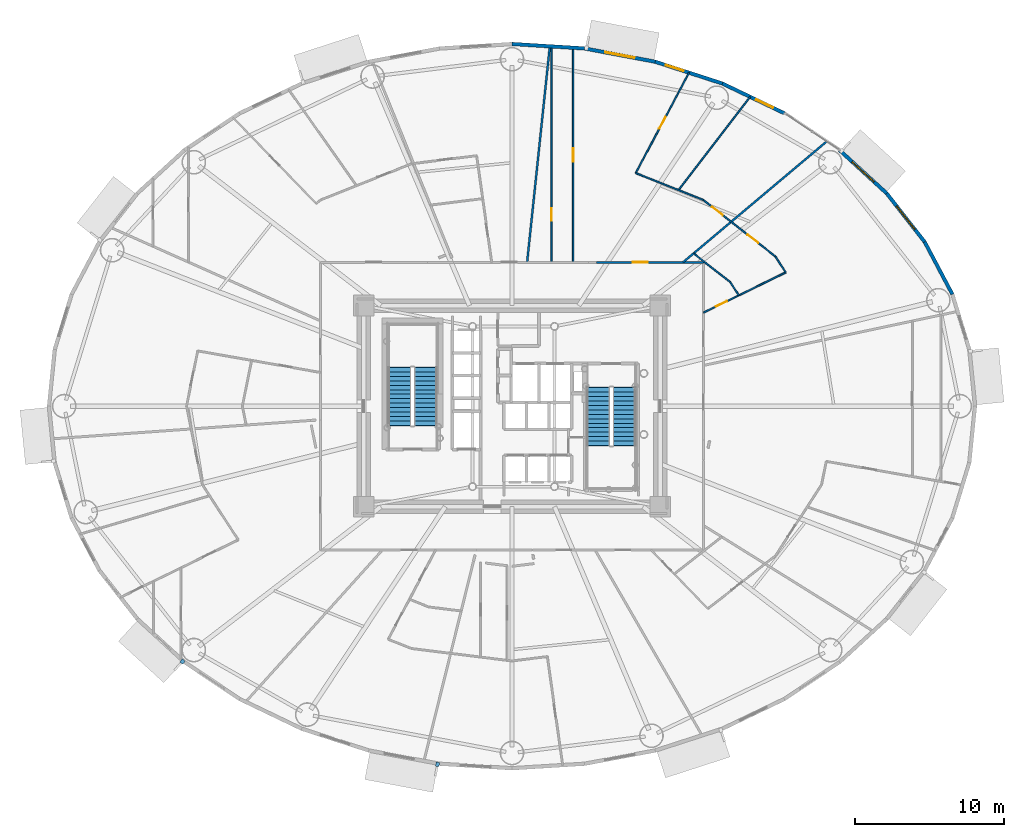
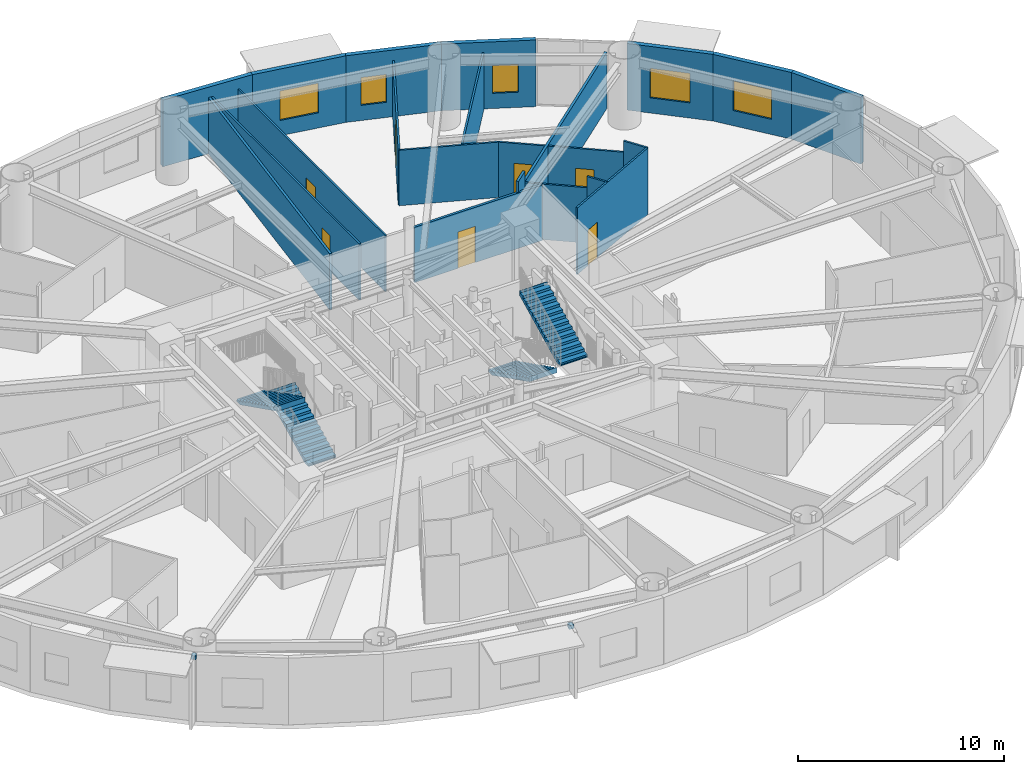
# One storey, part 12 of 20: 21 walls, 7 doors, 5 windows, 4 stair flights, 2 discrete accessories, 12 openings, 2 elements without a shape of their own.
"""IFC4 building model written with IfcOpenShell, lengths in metres."""

from ifc_helpers import new_model, si_unit, direction, frame, frame_2d, origin, origin_2d, place, context, subcontext, project, spatial, polyline, rectangle, outline, extrude, source, transform, mapped, material, layer, layer_set, type_object, element, fill, aggregate, save


model = new_model("IFC4")

# Units and contexts
model_context = context("Model", 3, precision=1e-05, world=origin(), true_north=direction((0.0, 1.0)))
body_context = subcontext(model_context, "Body", "Model", "MODEL_VIEW")
ifc_project = project(units=[si_unit("LENGTHUNIT", "METRE"), si_unit("AREAUNIT", "SQUARE_METRE"), si_unit("VOLUMEUNIT", "CUBIC_METRE"), si_unit("PLANEANGLEUNIT", "RADIAN"), si_unit("MASSUNIT", "GRAM", prefix="KILO")], contexts=[model_context])

# Site, building, storey
site_placement = place(None, origin())
site = spatial("IfcSite", under=ifc_project, at=site_placement, CompositionType="ELEMENT")
building_placement = place(site_placement, origin())
building = spatial("IfcBuilding", under=site, at=building_placement, Name="Linh Dai School and Residence Tower", CompositionType="ELEMENT")
storey_placement = place(building_placement, frame((0.0, 0.0, 66.0)))
storey = spatial("IfcBuildingStorey", under=building, at=storey_placement, Name="L15", CompositionType="ELEMENT", Elevation=66.0)

# Wall
ifc_material_1 = material(Name="Precast Concrete B45 (C35/45)", Category="concrete")
ifc_layer_1 = layer(ifc_material_1, 0.239990234375)
ifc_layer_set_1 = layer_set([ifc_layer_1], Name="Precast Concrete B45 (C35/45)")
wall_type_1 = type_object("IfcWallType", Name="EW-TC-240", PredefinedType="SOLIDWALL", material=ifc_layer_set_1)
wall_1_placement = place(storey_placement, frame((63.694580078125, 38.022705078125, 0.0), z_axis=(0.0, 0.0, 1.0), x_axis=(0.467662443071, -0.883907144072, 0.0)))
element("IfcWall", 1, at=wall_1_placement, inside=storey, type_object=wall_type_1, Name="L15 Terracotta Exterior Wall 03", PredefinedType="SOLIDWALL", context=body_context, shape_type="SweptSolid", body=[
    extrude(rectangle(XDim=3.983642578125, YDim=0.239990234375, at=frame_2d((1.99169921875, 0.0))), origin(), (0.0, 0.0, 1.0), 3.949951171875),
])

# Wall, opening, window
wall_2_placement = place(storey_placement, frame((61.149658203125, 41.274658203125, 0.0), z_axis=(0.0, 0.0, 1.0), x_axis=(0.616295508253, -0.787514981767, 0.0)))
wall_2 = element("IfcWall", 2, at=wall_2_placement, inside=storey, type_object=wall_type_1, Name="L15 Terracotta Exterior Wall 04", PredefinedType="SOLIDWALL", context=body_context, shape_type="SweptSolid", body=[
    extrude(rectangle(XDim=4.12939453125, YDim=0.239990234375, at=frame_2d((2.064697265625, 0.0))), origin(), (0.0, 0.0, 1.0), 3.949951171875),
])
opening_1_placement = place(wall_2_placement, frame((1.064453125, 0.0, 0.89990234375)))
opening_1 = element("IfcOpeningElement", 3, at=opening_1_placement, cuts=wall_2, Name="Opening W1", PredefinedType="OPENING", context=body_context, shape_type="SweptSolid", body=[
    extrude(rectangle(XDim=2.0, YDim=1.75, at=origin_2d()), frame((1.0, 0.1298828125, 0.875), z_axis=(0.0, -1.0, 0.0), x_axis=(1.0, 0.0, 0.0)), (0.0, 0.0, 1.0), 0.260009765625),
])
ifc_material_2 = material(Name="Double Low-E Insulated Glazing", Category="glass")
window_type_1 = type_object("IfcWindowType", Name="WN-RES-2000x1750", PartitioningType="DOUBLE_PANEL_VERTICAL", PredefinedType="WINDOW", material=ifc_material_2)
shared_shape_1 = source(origin(), body_context, "Body", "SweptSolid", [
    extrude(rectangle(XDim=2.0, YDim=1.75, at=origin_2d()), frame((1.0, 0.030029296875, 0.875), z_axis=(0.0, -1.0, 0.0), x_axis=(1.0, 0.0, 0.0)), (0.0, 0.0, 1.0), 0.06005859375),
])
window_1_placement = place(opening_1_placement, origin())
window_1 = element("IfcWindow", 4, at=window_1_placement, inside=storey, type_object=window_type_1, Name="L15 Exterior Window 04.1", OverallHeight=1.75, OverallWidth=2.0, PartitioningType="DOUBLE_PANEL_VERTICAL", PredefinedType="WINDOW", context=body_context, shape_type="MappedRepresentation", body=[
    mapped(shared_shape_1, transform((0.0, 0.0, 0.0), x_axis=(1.0, 0.0, 0.0), y_axis=(0.0, 1.0, 0.0), z_axis=(0.0, 0.0, 1.0), scale=1.0)),
])
fill(opening_1, window_1)

wall_3_placement = place(storey_placement, frame((57.984619140625, 44.17626953125, 0.0), z_axis=(0.0, 0.0, 1.0), x_axis=(0.737116376281, -0.67576582321, 0.0)))
wall_3 = element("IfcWall", 5, at=wall_3_placement, inside=storey, type_object=wall_type_1, Name="L15 Terracotta Exterior Wall 05", PredefinedType="SOLIDWALL", context=body_context, shape_type="SweptSolid", body=[
    extrude(rectangle(XDim=4.293701171875, YDim=0.239990234375, at=frame_2d((2.14697265625, 0.0))), origin(), (0.0, 0.0, 1.0), 3.949951171875),
])
opening_2_placement = place(wall_3_placement, frame((1.146728515625, 0.0, 0.89990234375)))
opening_2 = element("IfcOpeningElement", 6, at=opening_2_placement, cuts=wall_3, Name="Opening W1", PredefinedType="OPENING", context=body_context, shape_type="SweptSolid", body=[
    extrude(rectangle(XDim=2.0, YDim=1.75, at=origin_2d()), frame((1.0, 0.1298828125, 0.875), z_axis=(0.0, -1.0, 0.0), x_axis=(1.0, 0.0, 0.0)), (0.0, 0.0, 1.0), 0.260009765625),
])
window_2_placement = place(opening_2_placement, origin())
window_2 = element("IfcWindow", 7, at=window_2_placement, inside=storey, type_object=window_type_1, Name="L15 Exterior Window 05.1", OverallHeight=1.75, OverallWidth=2.0, PartitioningType="DOUBLE_PANEL_VERTICAL", PredefinedType="WINDOW", context=body_context, shape_type="MappedRepresentation", body=[
    mapped(shared_shape_1, transform((0.0, 0.0, 0.0), x_axis=(1.0, 0.0, 0.0), y_axis=(0.0, 1.0, 0.0), z_axis=(0.0, 0.0, 1.0), scale=1.0)),
])
fill(opening_2, window_2)

wall_4_placement = place(storey_placement, frame((50.1181640625, 48.651123046875, 0.0), z_axis=(0.0, 0.0, 1.0), x_axis=(0.901601503137, -0.432567601123, 0.0)))
wall_4 = element("IfcWall", 8, at=wall_4_placement, inside=storey, type_object=wall_type_1, Name="L15 Terracotta Exterior Wall 07", PredefinedType="SOLIDWALL", context=body_context, shape_type="SweptSolid", body=[
    extrude(rectangle(XDim=4.61279296875, YDim=0.239990234375, at=frame_2d((2.306396484375, 0.0))), origin(), (0.0, 0.0, 1.0), 3.949951171875),
])
opening_3_placement = place(wall_4_placement, frame((2.5078125, 0.0, 0.89990234375)))
opening_3 = element("IfcOpeningElement", 9, at=opening_3_placement, cuts=wall_4, Name="Opening W3", PredefinedType="OPENING", context=body_context, shape_type="SweptSolid", body=[
    extrude(rectangle(XDim=1.25, YDim=1.64990234375, at=origin_2d()), frame((0.625, 0.1298828125, 0.824951171875), z_axis=(0.0, -1.0, 0.0), x_axis=(1.0, 0.0, 0.0)), (0.0, 0.0, 1.0), 0.260009765625),
])
window_type_2 = type_object("IfcWindowType", Name="WN-RES-1250x1650", PartitioningType="SINGLE_PANEL", PredefinedType="WINDOW", material=ifc_material_2)
shared_shape_2 = source(origin(), body_context, "Body", "SweptSolid", [
    extrude(rectangle(XDim=1.25, YDim=1.64990234375, at=origin_2d()), frame((0.625, 0.030029296875, 0.824951171875), z_axis=(0.0, -1.0, 0.0), x_axis=(1.0, 0.0, 0.0)), (0.0, 0.0, 1.0), 0.06005859375),
])
window_3_placement = place(opening_3_placement, origin())
window_3 = element("IfcWindow", 10, at=window_3_placement, inside=storey, type_object=window_type_2, Name="L15 Exterior Window 07.1", OverallHeight=1.64990234375, OverallWidth=1.25, PartitioningType="SINGLE_PANEL", PredefinedType="WINDOW", context=body_context, shape_type="MappedRepresentation", body=[
    mapped(shared_shape_2, transform((0.0, 0.0, 0.0), x_axis=(1.0, 0.0, 0.0), y_axis=(0.0, 1.0, 0.0), z_axis=(0.0, 0.0, 1.0), scale=1.0)),
])
fill(opening_3, window_3)

wall_5_placement = place(storey_placement, frame((45.610595703125, 50.11328125, 0.0), z_axis=(0.0, 0.0, 1.0), x_axis=(0.951207699013, -0.308551313946, 0.0)))
wall_5 = element("IfcWall", 11, at=wall_5_placement, inside=storey, type_object=wall_type_1, Name="L15 Terracotta Exterior Wall 08", PredefinedType="SOLIDWALL", context=body_context, shape_type="SweptSolid", body=[
    extrude(rectangle(XDim=4.73876953125, YDim=0.239990234375, at=frame_2d((2.369384765625, 0.0))), origin(), (0.0, 0.0, 1.0), 3.949951171875),
])
opening_4_placement = place(wall_5_placement, frame((0.75146484375, 0.0, 0.89990234375)))
opening_4 = element("IfcOpeningElement", 12, at=opening_4_placement, cuts=wall_5, Name="Opening W3", PredefinedType="OPENING", context=body_context, shape_type="SweptSolid", body=[
    extrude(rectangle(XDim=1.25, YDim=1.64990234375, at=origin_2d()), frame((0.625, 0.1298828125, 0.824951171875), z_axis=(0.0, -1.0, 0.0), x_axis=(1.0, 0.0, 0.0)), (0.0, 0.0, 1.0), 0.260009765625),
])
window_4_placement = place(opening_4_placement, origin())
window_4 = element("IfcWindow", 13, at=window_4_placement, inside=storey, type_object=window_type_2, Name="L15 Exterior Window 08.1", OverallHeight=1.64990234375, OverallWidth=1.25, PartitioningType="SINGLE_PANEL", PredefinedType="WINDOW", context=body_context, shape_type="MappedRepresentation", body=[
    mapped(shared_shape_2, transform((0.0, 0.0, 0.0), x_axis=(1.0, 0.0, 0.0), y_axis=(0.0, 1.0, 0.0), z_axis=(0.0, 0.0, 1.0), scale=1.0)),
])
fill(opening_4, window_4)

wall_6_placement = place(storey_placement, frame((40.865478515625, 51.005126953125, 0.0), z_axis=(0.0, 0.0, 1.0), x_axis=(0.982791952378, -0.184715939598, 0.0)))
wall_6 = element("IfcWall", 14, at=wall_6_placement, inside=storey, type_object=wall_type_1, Name="L15 Terracotta Exterior Wall 09", PredefinedType="SOLIDWALL", context=body_context, shape_type="SweptSolid", body=[
    extrude(rectangle(XDim=4.828125, YDim=0.239990234375, at=frame_2d((2.4140625, 0.0))), origin(), (0.0, 0.0, 1.0), 3.949951171875),
])
opening_5_placement = place(wall_6_placement, frame((1.4140625, 0.0, 0.89990234375)))
opening_5 = element("IfcOpeningElement", 15, at=opening_5_placement, cuts=wall_6, Name="Opening W1", PredefinedType="OPENING", context=body_context, shape_type="SweptSolid", body=[
    extrude(rectangle(XDim=2.0, YDim=1.75, at=origin_2d()), frame((1.0, 0.1298828125, 0.875), z_axis=(0.0, -1.0, 0.0), x_axis=(1.0, 0.0, 0.0)), (0.0, 0.0, 1.0), 0.260009765625),
])
window_5_placement = place(opening_5_placement, origin())
window_5 = element("IfcWindow", 16, at=window_5_placement, inside=storey, type_object=window_type_1, Name="L15 Exterior Window 09.1", OverallHeight=1.75, OverallWidth=2.0, PartitioningType="DOUBLE_PANEL_VERTICAL", PredefinedType="WINDOW", context=body_context, shape_type="MappedRepresentation", body=[
    mapped(shared_shape_1, transform((0.0, 0.0, 0.0), x_axis=(1.0, 0.0, 0.0), y_axis=(0.0, 1.0, 0.0), z_axis=(0.0, 0.0, 1.0), scale=1.0)),
])
fill(opening_5, window_5)

# Walls
wall_7_placement = place(storey_placement, frame((36.0, 51.304931640625, 0.0), z_axis=(0.0, 0.0, 1.0), x_axis=(0.998106954071, -0.061502099433, 0.0)))
element("IfcWall", 17, at=wall_7_placement, inside=storey, type_object=wall_type_1, Name="L15 Terracotta Exterior Wall 10", PredefinedType="SOLIDWALL", context=body_context, shape_type="SweptSolid", body=[
    extrude(rectangle(XDim=4.874755859375, YDim=0.239990234375, at=frame_2d((2.4375, 0.0))), origin(), (0.0, 0.0, 1.0), 3.949951171875),
])
ifc_material_3 = material(Name="Autoclaved Aerated Concrete Blockwork", Category="masonry")
ifc_layer_2 = layer(ifc_material_3, 0.135009765625)
ifc_layer_set_2 = layer_set([ifc_layer_2], Name="Autoclaved Aerated Concrete Blockwork")
wall_type_2 = type_object("IfcWallType", Name="IW-CORR-135-EI90", PredefinedType="PARTITIONING", material=ifc_layer_set_2)
wall_8_placement = place(storey_placement, frame((37.01416015625, 36.64990234375, 0.0), z_axis=(0.0, 0.0, 1.0), x_axis=(0.104529666954, 0.994521768855, 0.0)))
element("IfcWall", 18, at=wall_8_placement, inside=storey, type_object=wall_type_2, Name="L15 Interior Partition Wall 063", PredefinedType="PARTITIONING", context=body_context, shape_type="SweptSolid", body=[
    extrude(rectangle(XDim=14.58349609375, YDim=0.135009765625, at=frame_2d((7.291748046875, 0.0))), origin(), (0.0, 0.0, 1.0), 3.3349609375),
])

# Wall, opening, door
wall_9_placement = place(storey_placement, frame((41.6787109375, 36.64990234375, 0.0), z_axis=(0.0, 0.0, 1.0), x_axis=(1.0, 0.0, 0.0)))
wall_9 = element("IfcWall", 19, at=wall_9_placement, inside=storey, type_object=wall_type_2, Name="L15 Interior Partition Wall 081", PredefinedType="PARTITIONING", context=body_context, shape_type="SweptSolid", body=[
    extrude(rectangle(XDim=7.17138671875, YDim=0.135009765625, at=frame_2d((3.585693359375, 0.0))), origin(), (0.0, 0.0, 1.0), 3.284912109375),
])
opening_6_placement = place(wall_9_placement, frame((2.4169921875, 0.0, 0.0)))
opening_6 = element("IfcOpeningElement", 20, at=opening_6_placement, cuts=wall_9, Name="Opening D03", PredefinedType="OPENING", context=body_context, shape_type="SweptSolid", body=[
    extrude(rectangle(XDim=1.0, YDim=2.14990234375, at=origin_2d()), frame((0.5, 0.07763671875, 1.074951171875), z_axis=(0.0, -1.0, 0.0), x_axis=(1.0, 0.0, 0.0)), (0.0, 0.0, 1.0), 0.155029296875),
])
ifc_material_4 = material(Name="Fire-Rated Solid Timber Entrance Door", Category="wood")
door_type_1 = type_object("IfcDoorType", Name="DR-FLAT-1000x2150-FD60S", OperationType="NOTDEFINED", PredefinedType="DOOR", material=ifc_material_4)
shared_shape_3 = source(origin(), body_context, "Body", "SweptSolid", [
    extrude(rectangle(XDim=1.0, YDim=2.14990234375, at=origin_2d()), frame((0.5, 0.02490234375, 1.074951171875), z_axis=(0.0, -1.0, 0.0), x_axis=(1.0, 0.0, 0.0)), (0.0, 0.0, 1.0), 0.050048828125),
])
door_1_placement = place(opening_6_placement, origin())
door_1 = element("IfcDoor", 21, at=door_1_placement, inside=storey, type_object=door_type_1, Name="L15 U1502 Apartment Entrance Door", OperationType="SINGLE_SWING_RIGHT", OverallHeight=2.14990234375, OverallWidth=1.0, PredefinedType="DOOR", context=body_context, shape_type="MappedRepresentation", body=[
    mapped(shared_shape_3, transform((0.0, 0.0, 0.0), x_axis=(1.0, 0.0, 0.0), y_axis=(0.0, 1.0, 0.0), z_axis=(0.0, 0.0, 1.0), scale=1.0)),
])
fill(opening_6, door_1)

# Walls
wall_10_placement = place(storey_placement, frame((47.472900390625, 36.64990234375, 0.0), z_axis=(0.0, 0.0, 1.0), x_axis=(0.765142102307, 0.643861447268, 0.0)))
element("IfcWall", 22, at=wall_10_placement, inside=storey, type_object=wall_type_2, Name="L15 Interior Partition Wall 088", PredefinedType="PARTITIONING", context=body_context, shape_type="SweptSolid", body=[
    extrude(rectangle(XDim=0.93212890625, YDim=0.135009765625, at=frame_2d((0.466064453125, 0.0))), origin(), (0.0, 0.0, 1.0), 3.949951171875),
])
wall_11_placement = place(storey_placement, frame((48.19384765625, 37.25634765625, 0.0), z_axis=(0.0, 0.0, 1.0), x_axis=(0.76528027527, 0.643697211647, 0.0)))
element("IfcWall", 23, at=wall_11_placement, inside=storey, type_object=wall_type_2, Name="L15 Interior Partition Wall 090", PredefinedType="PARTITIONING", context=body_context, shape_type="SweptSolid", body=[
    extrude(rectangle(XDim=11.66064453125, YDim=0.135009765625, at=frame_2d((5.830322265625, 0.0))), origin(), (0.0, 0.0, 1.0), 3.3349609375),
])

# Wall, opening, door
ifc_material_5 = material(Name="Gypsum Plasterboard Acoustic Stud Partition", Category="masonry")
ifc_layer_3 = layer(ifc_material_5, 0.10009765625)
ifc_layer_set_3 = layer_set([ifc_layer_3], Name="Gypsum Plasterboard Acoustic Stud Partition")
wall_type_3 = type_object("IfcWallType", Name="IW-UNIT-100", PredefinedType="PARTITIONING", material=ifc_layer_set_3)
wall_12_placement = place(storey_placement, frame((38.657470703125, 36.64990234375, 0.0), z_axis=(0.0, 0.0, 1.0), x_axis=(0.0, 1.0, 0.0)))
wall_12 = element("IfcWall", 24, at=wall_12_placement, inside=storey, type_object=wall_type_3, Name="L15 Interior Partition Wall 070", PredefinedType="PARTITIONING", context=body_context, shape_type="SweptSolid", body=[
    extrude(rectangle(XDim=14.496337890625, YDim=0.10009765625, at=frame_2d((7.248046875, 0.0))), origin(), (0.0, 0.0, 1.0), 3.3349609375),
])
opening_7_placement = place(wall_12_placement, frame((2.80712890625, 0.0, 0.0)))
opening_7 = element("IfcOpeningElement", 25, at=opening_7_placement, cuts=wall_12, Name="Opening D06", PredefinedType="OPENING", context=body_context, shape_type="SweptSolid", body=[
    extrude(rectangle(XDim=0.820068359375, YDim=2.10009765625, at=origin_2d()), frame((0.41015625, 0.06005859375, 1.050048828125), z_axis=(0.0, -1.0, 0.0), x_axis=(1.0, 0.0, 0.0)), (0.0, 0.0, 1.0), 0.1201171875),
])
ifc_material_6 = material(Name="Moisture-Resistant Timber Bathroom Door", Category="wood")
door_type_2 = type_object("IfcDoorType", Name="DR-WET-820x2100", OperationType="NOTDEFINED", PredefinedType="DOOR", material=ifc_material_6)
shared_shape_4 = source(origin(), body_context, "Body", "SweptSolid", [
    extrude(rectangle(XDim=0.820068359375, YDim=2.10009765625, at=origin_2d()), frame((0.41015625, 0.02490234375, 1.050048828125), z_axis=(0.0, -1.0, 0.0), x_axis=(1.0, 0.0, 0.0)), (0.0, 0.0, 1.0), 0.050048828125),
])
door_2_placement = place(opening_7_placement, origin())
door_2 = element("IfcDoor", 26, at=door_2_placement, inside=storey, type_object=door_type_2, Name="L15 Apartment U1502 Bathroom 1 Door", OperationType="SINGLE_SWING_RIGHT", OverallHeight=2.10009765625, OverallWidth=0.820068359375, PredefinedType="DOOR", context=body_context, shape_type="MappedRepresentation", body=[
    mapped(shared_shape_4, transform((0.0, 0.0, 0.0), x_axis=(1.0, 0.0, 0.0), y_axis=(0.0, 1.0, 0.0), z_axis=(0.0, 0.0, 1.0), scale=1.0)),
])
fill(opening_7, door_2)

wall_13_placement = place(storey_placement, frame((40.103515625, 36.64990234375, 0.0), z_axis=(0.0, 0.0, 1.0), x_axis=(0.0, 1.0, 0.0)))
wall_13 = element("IfcWall", 27, at=wall_13_placement, inside=storey, type_object=wall_type_3, Name="L15 Interior Partition Wall 077", PredefinedType="PARTITIONING", context=body_context, shape_type="SweptSolid", body=[
    extrude(rectangle(XDim=14.4072265625, YDim=0.10009765625, at=frame_2d((7.20361328125, 0.0))), origin(), (0.0, 0.0, 1.0), 3.3349609375),
])
opening_8_placement = place(wall_13_placement, frame((6.753662109375, 0.0, 0.0)))
opening_8 = element("IfcOpeningElement", 28, at=opening_8_placement, cuts=wall_13, Name="Opening D05", PredefinedType="OPENING", context=body_context, shape_type="SweptSolid", body=[
    extrude(rectangle(XDim=0.89990234375, YDim=2.10009765625, at=origin_2d()), frame((0.449951171875, 0.06005859375, 1.050048828125), z_axis=(0.0, -1.0, 0.0), x_axis=(1.0, 0.0, 0.0)), (0.0, 0.0, 1.0), 0.1201171875),
])
ifc_material_7 = material(Name="Engineered Timber Internal Door", Category="wood")
door_type_3 = type_object("IfcDoorType", Name="DR-INT-900x2100", OperationType="NOTDEFINED", PredefinedType="DOOR", material=ifc_material_7)
shared_shape_5 = source(origin(), body_context, "Body", "SweptSolid", [
    extrude(rectangle(XDim=0.89990234375, YDim=2.10009765625, at=origin_2d()), frame((0.449951171875, 0.02490234375, 1.050048828125), z_axis=(0.0, -1.0, 0.0), x_axis=(1.0, 0.0, 0.0)), (0.0, 0.0, 1.0), 0.050048828125),
])
door_3_placement = place(opening_8_placement, origin())
door_3 = element("IfcDoor", 29, at=door_3_placement, inside=storey, type_object=door_type_3, Name="L15 Apartment U1502 Kitchen Door", OperationType="SINGLE_SWING_LEFT", OverallHeight=2.10009765625, OverallWidth=0.89990234375, PredefinedType="DOOR", context=body_context, shape_type="MappedRepresentation", body=[
    mapped(shared_shape_5, transform((0.0, 0.0, 0.0), x_axis=(1.0, 0.0, 0.0), y_axis=(0.0, 1.0, 0.0), z_axis=(0.0, 0.0, 1.0), scale=1.0)),
])
fill(opening_8, door_3)

wall_14_placement = place(storey_placement, frame((44.3056640625, 42.64306640625, 0.0), z_axis=(0.0, 0.0, 1.0), x_axis=(0.468943074609, 0.883228392193, 0.0)))
wall_14 = element("IfcWall", 30, at=wall_14_placement, inside=storey, type_object=wall_type_3, Name="L15 Interior Partition Wall 082", PredefinedType="PARTITIONING", context=body_context, shape_type="SweptSolid", body=[
    extrude(rectangle(XDim=7.629150390625, YDim=0.10009765625, at=frame_2d((3.814453125, 0.0))), origin(), (0.0, 0.0, 1.0), 3.3349609375),
])
opening_9_placement = place(wall_14_placement, frame((3.364501953125, 0.0, 0.0)))
opening_9 = element("IfcOpeningElement", 31, at=opening_9_placement, cuts=wall_14, Name="Opening D05", PredefinedType="OPENING", context=body_context, shape_type="SweptSolid", body=[
    extrude(rectangle(XDim=0.89990234375, YDim=2.10009765625, at=origin_2d()), frame((0.449951171875, 0.06005859375, 1.050048828125), z_axis=(0.0, -1.0, 0.0), x_axis=(1.0, 0.0, 0.0)), (0.0, 0.0, 1.0), 0.1201171875),
])
door_4_placement = place(opening_9_placement, origin())
door_4 = element("IfcDoor", 32, at=door_4_placement, inside=storey, type_object=door_type_3, Name="L15 Apartment U1502 Study Door", OperationType="SINGLE_SWING_RIGHT", OverallHeight=2.10009765625, OverallWidth=0.89990234375, PredefinedType="DOOR", context=body_context, shape_type="MappedRepresentation", body=[
    mapped(shared_shape_5, transform((0.0, 0.0, 0.0), x_axis=(1.0, 0.0, 0.0), y_axis=(0.0, 1.0, 0.0), z_axis=(0.0, 0.0, 1.0), scale=1.0)),
])
fill(opening_9, door_4)

# Walls
wall_15_placement = place(storey_placement, frame((44.3056640625, 42.64306640625, 0.0), z_axis=(0.0, 0.0, 1.0), x_axis=(0.928800719386, -0.37057957805, 0.0)))
element("IfcWall", 33, at=wall_15_placement, inside=storey, type_object=wall_type_3, Name="L15 Interior Partition Wall 083", PredefinedType="PARTITIONING", context=body_context, shape_type="SweptSolid", body=[
    extrude(rectangle(XDim=4.879150390625, YDim=0.10009765625, at=frame_2d((2.439453125, 0.0))), origin(), (0.0, 0.0, 1.0), 3.284912109375),
])
wall_16_placement = place(storey_placement, frame((47.166259765625, 41.501708984375, 0.0), z_axis=(0.0, 0.0, 1.0), x_axis=(0.610084092609, 0.792336670832, 0.0)))
element("IfcWall", 34, at=wall_16_placement, inside=storey, type_object=wall_type_3, Name="L15 Interior Partition Wall 087", PredefinedType="PARTITIONING", context=body_context, shape_type="SweptSolid", body=[
    extrude(rectangle(XDim=7.8994140625, YDim=0.10009765625, at=frame_2d((3.94970703125, 0.0))), origin(), (0.0, 0.0, 1.0), 3.3349609375),
])
wall_17_placement = place(storey_placement, frame((48.18603515625, 37.25, 0.0), z_axis=(0.0, 0.0, 1.0), x_axis=(0.787352897258, -0.61650256705, 0.0)))
element("IfcWall", 35, at=wall_17_placement, inside=storey, type_object=wall_type_3, Name="L15 Interior Partition Wall 089", PredefinedType="PARTITIONING", context=body_context, shape_type="SweptSolid", body=[
    extrude(rectangle(XDim=3.11669921875, YDim=0.10009765625, at=frame_2d((1.558349609375, 0.0))), origin(), (0.0, 0.0, 1.0), 3.284912109375),
])

# Wall, openings, doors
wall_18_placement = place(storey_placement, frame((48.837158203125, 40.8349609375, 0.0), z_axis=(0.0, 0.0, 1.0), x_axis=(0.787362261728, -0.616490607233, 0.0)))
wall_18 = element("IfcWall", 36, at=wall_18_placement, inside=storey, type_object=wall_type_3, Name="L15 Interior Partition Wall 091", PredefinedType="PARTITIONING", context=body_context, shape_type="SweptSolid", body=[
    extrude(rectangle(XDim=6.13671875, YDim=0.10009765625, at=frame_2d((3.068359375, 0.0))), origin(), (0.0, 0.0, 1.0), 3.284912109375),
])
opening_10_placement = place(wall_18_placement, frame((3.785888671875, 0.0, 0.0)))
opening_10 = element("IfcOpeningElement", 37, at=opening_10_placement, cuts=wall_18, Name="Opening D05", PredefinedType="OPENING", context=body_context, shape_type="SweptSolid", body=[
    extrude(rectangle(XDim=0.89990234375, YDim=2.10009765625, at=origin_2d()), frame((0.449951171875, 0.06005859375, 1.050048828125), z_axis=(0.0, -1.0, 0.0), x_axis=(1.0, 0.0, 0.0)), (0.0, 0.0, 1.0), 0.1201171875),
])
opening_11_placement = place(wall_18_placement, frame((0.757568359375, 0.0, 0.0)))
opening_11 = element("IfcOpeningElement", 38, at=opening_11_placement, cuts=wall_18, Name="Opening D05", PredefinedType="OPENING", context=body_context, shape_type="SweptSolid", body=[
    extrude(rectangle(XDim=0.89990234375, YDim=2.10009765625, at=origin_2d()), frame((0.449951171875, 0.06005859375, 1.050048828125), z_axis=(0.0, -1.0, 0.0), x_axis=(1.0, 0.0, 0.0)), (0.0, 0.0, 1.0), 0.1201171875),
])
door_5_placement = place(opening_10_placement, origin())
door_5 = element("IfcDoor", 39, at=door_5_placement, inside=storey, type_object=door_type_3, Name="L15 Apartment U1501 Kitchen Door", OperationType="SINGLE_SWING_LEFT", OverallHeight=2.10009765625, OverallWidth=0.89990234375, PredefinedType="DOOR", context=body_context, shape_type="MappedRepresentation", body=[
    mapped(shared_shape_5, transform((0.0, 0.0, 0.0), x_axis=(1.0, 0.0, 0.0), y_axis=(0.0, 1.0, 0.0), z_axis=(0.0, 0.0, 1.0), scale=1.0)),
])
fill(opening_10, door_5)
door_6_placement = place(opening_11_placement, origin())
door_6 = element("IfcDoor", 40, at=door_6_placement, inside=storey, type_object=door_type_3, Name="L15 Apartment U1502 Principal Bedroom 1 Door", OperationType="SINGLE_SWING_LEFT", OverallHeight=2.10009765625, OverallWidth=0.89990234375, PredefinedType="DOOR", context=body_context, shape_type="MappedRepresentation", body=[
    mapped(shared_shape_5, transform((0.0, 0.0, 0.0), x_axis=(1.0, 0.0, 0.0), y_axis=(0.0, 1.0, 0.0), z_axis=(0.0, 0.0, 1.0), scale=1.0)),
])
fill(opening_11, door_6)

# Wall, opening, door
wall_19_placement = place(storey_placement, frame((48.85009765625, 33.27685546875, 0.0), z_axis=(0.0, 0.0, 1.0), x_axis=(0.898537268474, 0.438897228476, 0.0)))
wall_19 = element("IfcWall", 41, at=wall_19_placement, inside=storey, type_object=wall_type_3, Name="L15 Interior Partition Wall 096", PredefinedType="PARTITIONING", context=body_context, shape_type="SweptSolid", body=[
    extrude(rectangle(XDim=6.143798828125, YDim=0.10009765625, at=frame_2d((3.07177734375, 0.0))), origin(), (0.0, 0.0, 1.0), 3.949951171875),
])
opening_12_placement = place(wall_19_placement, frame((0.9296875, 0.0, 0.0)))
opening_12 = element("IfcOpeningElement", 42, at=opening_12_placement, cuts=wall_19, Name="Opening D06", PredefinedType="OPENING", context=body_context, shape_type="SweptSolid", body=[
    extrude(rectangle(XDim=0.820068359375, YDim=2.10009765625, at=origin_2d()), frame((0.41015625, 0.06005859375, 1.050048828125), z_axis=(0.0, -1.0, 0.0), x_axis=(1.0, 0.0, 0.0)), (0.0, 0.0, 1.0), 0.1201171875),
])
door_7_placement = place(opening_12_placement, origin())
door_7 = element("IfcDoor", 43, at=door_7_placement, inside=storey, type_object=door_type_2, Name="L15 Apartment U1501 Bathroom Door", OperationType="SINGLE_SWING_RIGHT", OverallHeight=2.10009765625, OverallWidth=0.820068359375, PredefinedType="DOOR", context=body_context, shape_type="MappedRepresentation", body=[
    mapped(shared_shape_4, transform((0.0, 0.0, 0.0), x_axis=(1.0, 0.0, 0.0), y_axis=(0.0, 1.0, 0.0), z_axis=(0.0, 0.0, 1.0), scale=1.0)),
])
fill(opening_12, door_7)

# Walls
wall_20_placement = place(storey_placement, frame((50.639892578125, 35.32861328125, 0.0), z_axis=(0.0, 0.0, 1.0), x_axis=(0.545471206721, -0.838129561964, 0.0)))
element("IfcWall", 44, at=wall_20_placement, inside=storey, type_object=wall_type_3, Name="L15 Interior Partition Wall 098", PredefinedType="PARTITIONING", context=body_context, shape_type="SweptSolid", body=[
    extrude(rectangle(XDim=1.066162109375, YDim=0.10009765625, at=frame_2d((0.533203125, 0.0))), origin(), (0.0, 0.0, 1.0), 3.949951171875),
])
wall_21_placement = place(storey_placement, frame((53.6689453125, 37.0517578125, 0.0), z_axis=(0.0, 0.0, 1.0), x_axis=(0.545381825814, -0.838187726033, 0.0)))
element("IfcWall", 45, at=wall_21_placement, inside=storey, type_object=wall_type_3, Name="L15 Interior Partition Wall 100", PredefinedType="PARTITIONING", context=body_context, shape_type="SweptSolid", body=[
    extrude(rectangle(XDim=1.28662109375, YDim=0.10009765625, at=frame_2d((0.643310546875, 0.0))), origin(), (0.0, 0.0, 1.0), 3.949951171875),
])

# Stair, stair flights
ifc_material_8 = material(Name="Concrete B45 (C35/45)", Category="concrete")
stair_type = type_object("IfcStairType", Name="ST-DOG-1550-R1500", PredefinedType="HALF_TURN_STAIR", material=ifc_material_8)
stair_1_placement = place(storey_placement, origin())
stair_1 = element("IfcStair", 46, at=stair_1_placement, inside=storey, type_object=stair_type, Name="L15 Core Smokeproof Exit Stair ST1", PredefinedType="HALF_TURN_STAIR")
stair_flight_type = type_object("IfcStairFlightType", Name="STF-STR-1550-R1500", PredefinedType="STRAIGHT", material=ifc_material_8)
shared_shape_6 = source(origin(), body_context, "Body", "SweptSolid", [
    extrude(outline(polyline([(-0.02490234375, 0.0), (-0.02490234375, 0.06005859375), (0.0, 0.06005859375), (0.0, 0.14990234375), (0.300048828125, 0.14990234375), (0.300048828125, 0.300048828125), (0.60009765625, 0.300048828125), (0.60009765625, 0.449951171875), (0.89990234375, 0.449951171875), (0.89990234375, 0.60009765625), (1.199951171875, 0.60009765625), (1.199951171875, 0.75), (1.5, 0.75), (1.5, 0.89990234375), (1.800048828125, 0.89990234375), (1.800048828125, 1.050048828125), (2.10009765625, 1.050048828125), (2.10009765625, 1.199951171875), (2.39990234375, 1.199951171875), (2.39990234375, 1.35009765625), (2.699951171875, 1.35009765625), (2.699951171875, 1.5), (3.0, 1.5), (3.0, 1.64990234375), (3.300048828125, 1.64990234375), (3.300048828125, 1.800048828125), (3.60009765625, 1.800048828125), (3.60009765625, 1.949951171875), (3.89990234375, 1.949951171875), (3.89990234375, 2.10009765625), (3.925048828125, 2.10009765625), (3.925048828125, 1.782470703125), (3.89990234375, 1.782470703125), (0.335205078125, 0.0), (-0.02490234375, 0.0)])), frame((0.0, 0.77490234375, 0.0), z_axis=(0.0, -1.0, 0.0), x_axis=(1.0, 0.0, 0.0)), (0.0, 0.0, 1.0), 1.550048828125),
])
stair_flight_1_placement = place(storey_placement, frame((30.205078125, 25.699951171875, 0.0), z_axis=(0.0, 0.0, 1.0), x_axis=(0.0, 1.0, 0.0)))
stair_flight_1 = element("IfcStairFlight", 47, at=stair_flight_1_placement, type_object=stair_flight_type, Name="ST1 flight 1", NumberOfRisers=14, NumberOfTreads=13, PredefinedType="STRAIGHT", RiserHeight=0.15, TreadLength=0.3, context=body_context, shape_type="MappedRepresentation", body=[
    mapped(shared_shape_6, transform((0.0, 0.0, 0.0), x_axis=(1.0, 0.0, 0.0), y_axis=(0.0, 1.0, 0.0), z_axis=(0.0, 0.0, 1.0), scale=1.0)),
])
stair_flight_2_placement = place(storey_placement, frame((28.455078125, 29.60009765625, 2.10009765625), z_axis=(0.0, 0.0, 1.0), x_axis=(0.0, -1.0, 0.0)))
stair_flight_2 = element("IfcStairFlight", 48, at=stair_flight_2_placement, type_object=stair_flight_type, Name="ST1 flight 2", NumberOfRisers=14, NumberOfTreads=13, PredefinedType="STRAIGHT", RiserHeight=0.15, TreadLength=0.3, context=body_context, shape_type="MappedRepresentation", body=[
    mapped(shared_shape_6, transform((0.0, 0.0, 0.0), x_axis=(1.0, 0.0, 0.0), y_axis=(0.0, 1.0, 0.0), z_axis=(0.0, 0.0, 1.0), scale=1.0)),
])
aggregate(stair_1, [stair_flight_1, stair_flight_2])

stair_2_placement = place(storey_placement, origin())
stair_2 = element("IfcStair", 49, at=stair_2_placement, inside=storey, type_object=stair_type, Name="L15 Core Smokeproof Exit Stair ST2", PredefinedType="HALF_TURN_STAIR")
stair_flight_3_placement = place(storey_placement, frame((41.794921875, 28.25, 0.0), z_axis=(0.0, 0.0, 1.0), x_axis=(0.0, -1.0, 0.0)))
stair_flight_3 = element("IfcStairFlight", 50, at=stair_flight_3_placement, type_object=stair_flight_type, Name="ST2 flight 1", NumberOfRisers=14, NumberOfTreads=13, PredefinedType="STRAIGHT", RiserHeight=0.15, TreadLength=0.3, context=body_context, shape_type="MappedRepresentation", body=[
    mapped(shared_shape_6, transform((0.0, 0.0, 0.0), x_axis=(1.0, 0.0, 0.0), y_axis=(0.0, 1.0, 0.0), z_axis=(0.0, 0.0, 1.0), scale=1.0)),
])
stair_flight_4_placement = place(storey_placement, frame((43.544921875, 24.35009765625, 2.10009765625), z_axis=(0.0, 0.0, 1.0), x_axis=(0.0, 1.0, 0.0)))
stair_flight_4 = element("IfcStairFlight", 51, at=stair_flight_4_placement, type_object=stair_flight_type, Name="ST2 flight 2", NumberOfRisers=14, NumberOfTreads=13, PredefinedType="STRAIGHT", RiserHeight=0.15, TreadLength=0.3, context=body_context, shape_type="MappedRepresentation", body=[
    mapped(shared_shape_6, transform((0.0, 0.0, 0.0), x_axis=(1.0, 0.0, 0.0), y_axis=(0.0, 1.0, 0.0), z_axis=(0.0, 0.0, 1.0), scale=1.0)),
])
aggregate(stair_2, [stair_flight_3, stair_flight_4])

# Discrete accessories
ifc_material_9 = material(Name="Structural Steel S355JR", Category="steel")
discrete_accessory_type = type_object("IfcDiscreteAccessoryType", Name="ACC-BRK-S355", PredefinedType="BRACKET", material=ifc_material_9)
shared_shape_7 = source(origin(), body_context, "Body", "SweptSolid", [
    extrude(rectangle(XDim=0.280029296875, YDim=0.239990234375, at=origin_2d()), origin(), (0.0, 0.0, 1.0), 0.219970703125),
])
for number, where, z_axis, x_axis, name in (
    (52, (13.88623046875, 9.860595703125, 3.7001953125), (0.0, 0.0, 1.0), (-0.675769237268, -0.737113246362, 0.0), "L15 Facade Frame Anchor Bracket 25"),
    (53, (31.005615234375, 2.9580078125, 3.7001953125), (0.0, 0.0, 1.0), (-0.184747948944, -0.982785935675, 0.0), "L15 Facade Frame Anchor Bracket 29"),
):
    element("IfcDiscreteAccessory", number, at=place(storey_placement, frame(where, z_axis=z_axis, x_axis=x_axis)), inside=storey, type_object=discrete_accessory_type, Name=name, PredefinedType="BRACKET", context=body_context, shape_type="MappedRepresentation", body=[
        mapped(shared_shape_7, transform((0.0, 0.0, 0.0), x_axis=(1.0, 0.0, 0.0), y_axis=(0.0, 1.0, 0.0), z_axis=(0.0, 0.0, 1.0), scale=1.0)),
    ])

save(model, "model.ifc")
